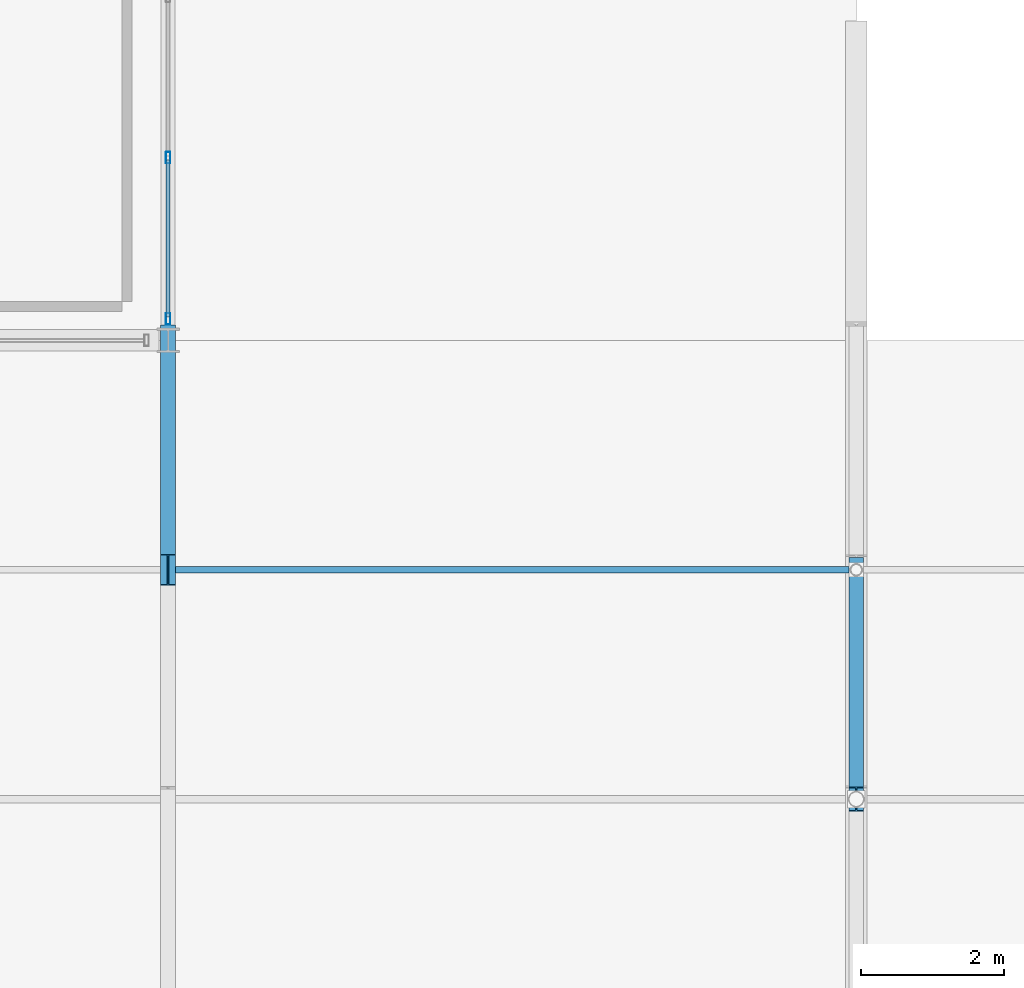
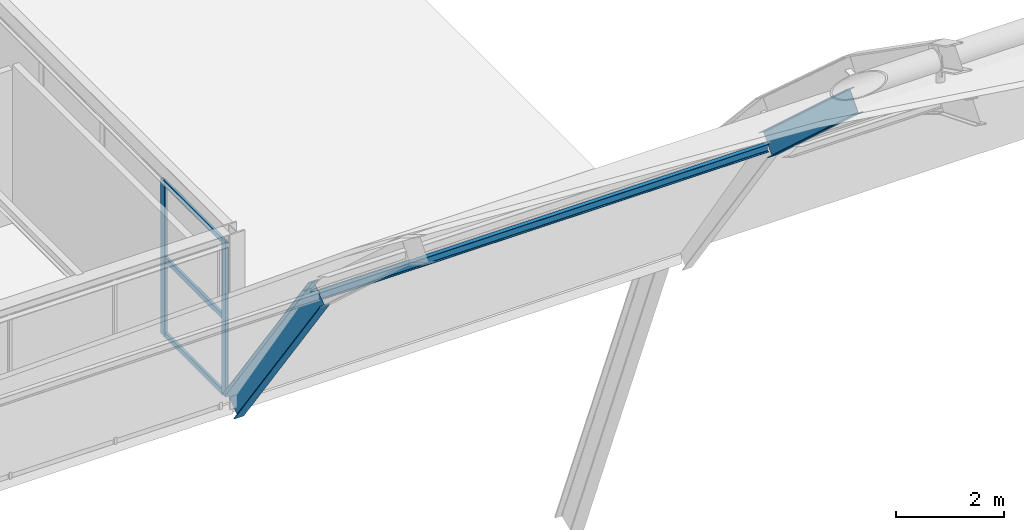
# One storey, part 87 of 126: 6 members, 2 beams, 1 element without a shape of its own.
"""IFC4 building model written with IfcOpenShell, lengths in metres."""

from ifc_helpers import new_model, si_unit, direction, frame, origin, origin_2d, place, context, subcontext, project, spatial, hollow_rectangle, i_section, extrude, material, material_profile, profile_set, type_object, element, aggregate, save


model = new_model("IFC4")

# Units and contexts
model_context = context("Model", 3, precision=1e-05, world=origin(), true_north=direction((0.0, 1.0)))
body_context = subcontext(model_context, "Body", "Model", "MODEL_VIEW")
ifc_project = project(units=[si_unit("LENGTHUNIT", "METRE"), si_unit("AREAUNIT", "SQUARE_METRE"), si_unit("VOLUMEUNIT", "CUBIC_METRE"), si_unit("PLANEANGLEUNIT", "RADIAN"), si_unit("MASSUNIT", "GRAM", prefix="KILO")], contexts=[model_context])

# Site, building, storey
site_placement = place(None, origin())
site = spatial("IfcSite", under=ifc_project, at=site_placement, CompositionType="ELEMENT")
building_placement = place(site_placement, origin())
building = spatial("IfcBuilding", under=site, at=building_placement, Name="Coralgate Yard Interchange", CompositionType="ELEMENT")
storey_placement = place(building_placement, frame((0.0, 0.0, 10.5)))
storey = spatial("IfcBuildingStorey", under=building, at=storey_placement, Name="L02", CompositionType="ELEMENT", Elevation=10.5)

# Beams
ifc_material_1 = material(Name="Weather-coated structural steel S355J2", Category="steel")
ifc_material_profile_1 = material_profile(ifc_material_1, i_section(OverallWidth=0.209228515625, OverallDepth=0.533203125, WebThickness=0.010009765625, FlangeThickness=0.015625, FilletRadius=0.0126953125, at=origin_2d()), Name="UB 533x210x92")
ifc_profile_set_1 = profile_set([ifc_material_profile_1], Name="Weather-coated structural steel S355J2")
beam_type_1 = type_object("IfcBeamType", Name="BM-VR-1", PredefinedType="BEAM", material=ifc_profile_set_1)
beam_1_placement = place(storey_placement, frame((96.0, 73.60009765625, 4.419677734375), z_axis=(0.0, 0.581821714705, -0.813316354377), x_axis=(-1.0, 0.0, 0.0)))
element("IfcBeam", 1, at=beam_1_placement, inside=storey, type_object=beam_type_1, Name="Barrel-vault gridshell rib 7 seg 12", PredefinedType="BEAM", context=body_context, shape_type="SweptSolid", body=[
    extrude(i_section(OverallWidth=0.209228515625, OverallDepth=0.533203125, WebThickness=0.010009765625, FlangeThickness=0.015625, FilletRadius=0.0126953125, at=origin_2d()), origin(), (0.0, 0.0, 1.0), 5.5),
])
ifc_material_profile_2 = material_profile(ifc_material_1, i_section(OverallWidth=0.199951171875, OverallDepth=0.5, WebThickness=0.01025390625, FlangeThickness=0.01611328125, FilletRadius=0.02099609375, at=origin_2d()), Name="IPE 500")
ifc_profile_set_2 = profile_set([ifc_material_profile_2], Name="Weather-coated structural steel S355J2")
beam_type_2 = type_object("IfcBeamType", Name="BM-VR-2", PredefinedType="BEAM", material=ifc_profile_set_2)
beam_2_placement = place(storey_placement, frame((105.60009765625, 70.39990234375, 7.349365234375), z_axis=(0.0, 0.739500841068, -0.673155632867), x_axis=(-1.0, 0.0, 0.0)))
element("IfcBeam", 2, at=beam_2_placement, inside=storey, type_object=beam_type_2, Name="Barrel-vault gridshell rib 8 seg 11", PredefinedType="BEAM", context=body_context, shape_type="SweptSolid", body=[
    extrude(i_section(OverallWidth=0.199951171875, OverallDepth=0.5, WebThickness=0.01025390625, FlangeThickness=0.01611328125, FilletRadius=0.02099609375, at=origin_2d()), origin(), (0.0, 0.0, 1.0), 4.327392578125),
])

# Curtain wall, members
ifc_material_2 = material(Name="Anodised coastal aluminium and solar-control low-E glass", Category="aluminium")
curtain_wall_type = type_object("IfcCurtainWallType", Name="CW-CW-L02-A", PredefinedType="NOTDEFINED", material=ifc_material_2)
curtain_wall_placement = place(storey_placement, origin())
curtain_wall = element("IfcCurtainWall", 3, at=curtain_wall_placement, inside=storey, type_object=curtain_wall_type, Name="L02 unitised curtain wall CW-L02-E-09-08", PredefinedType="NOTDEFINED")
ifc_material_3 = material(Name="Anodised coastal aluminium 6063-T6", Category="aluminium")
ifc_material_profile_3 = material_profile(ifc_material_3, hollow_rectangle(XDim=0.06494140625, YDim=0.159912109375, WallThickness=0.00390625, InnerFilletRadius=0.00390625, OuterFilletRadius=0.008056640625, at=origin_2d()), Name="ALU 65x160x4")
ifc_profile_set_3 = profile_set([ifc_material_profile_3], Name="Anodised coastal aluminium 6063-T6")
member_type_1 = type_object("IfcMemberType", Name="MB-MUL-160", PredefinedType="MULLION", material=ifc_profile_set_3)
member_1_placement = place(storey_placement, frame((96.0, 79.35009765625, 0.0), z_axis=(0.0, 0.0, 1.0), x_axis=(1.0, 0.0, 0.0)))
member_1 = element("IfcMember", 4, at=member_1_placement, type_object=member_type_1, Name="CW-L02-E-09-08 vertical mullion 4", PredefinedType="MULLION", context=body_context, shape_type="SweptSolid", body=[
    extrude(hollow_rectangle(XDim=0.06494140625, YDim=0.159912109375, WallThickness=0.00390625, InnerFilletRadius=0.00390625, OuterFilletRadius=0.008056640625, at=origin_2d()), origin(), (0.0, 0.0, 1.0), 3.492919921875),
])
member_2_placement = place(storey_placement, frame((96.0, 77.10009765625, 0.0), z_axis=(0.0, 0.0, 1.0), x_axis=(1.0, 0.0, 0.0)))
member_2 = element("IfcMember", 5, at=member_2_placement, type_object=member_type_1, Name="CW-L02-E-09-08 vertical mullion 5", PredefinedType="MULLION", context=body_context, shape_type="SweptSolid", body=[
    extrude(hollow_rectangle(XDim=0.06494140625, YDim=0.159912109375, WallThickness=0.00390625, InnerFilletRadius=0.00390625, OuterFilletRadius=0.008056640625, at=origin_2d()), origin(), (0.0, 0.0, 1.0), 3.492919921875),
])

# Member
ifc_material_4 = material(Name="Off-white architectural structural steel S355J2", Category="steel")
ifc_material_profile_4 = material_profile(ifc_material_4, i_section(OverallWidth=0.091064453125, OverallDepth=0.179931640625, WebThickness=0.00537109375, FlangeThickness=0.008056640625, FilletRadius=0.009033203125, at=origin_2d()), Name="IPE 180")
ifc_profile_set_4 = profile_set([ifc_material_profile_4], Name="Off-white architectural structural steel S355J2")
member_type_2 = type_object("IfcMemberType", Name="MB-PR-2", PredefinedType="PURLIN", material=ifc_profile_set_4)
member_3_placement = place(storey_placement, frame((96.001953125, 73.60009765625, 4.3662109375), z_axis=(1.0, 0.0, 0.0), x_axis=(0.0, 1.0, 0.0)))
element("IfcMember", 6, at=member_3_placement, inside=storey, type_object=member_type_2, Name="Barrel-vault gridshell purlin 7-12", PredefinedType="PURLIN", context=body_context, shape_type="SweptSolid", body=[
    extrude(i_section(OverallWidth=0.091064453125, OverallDepth=0.179931640625, WebThickness=0.00537109375, FlangeThickness=0.008056640625, FilletRadius=0.009033203125, at=origin_2d()), origin(), (0.0, 0.0, 1.0), 9.595947265625),
])

ifc_material_profile_5 = material_profile(ifc_material_3, hollow_rectangle(XDim=0.06005859375, YDim=0.1201171875, WallThickness=0.00341796875, InnerFilletRadius=0.00341796875, OuterFilletRadius=0.007080078125, at=origin_2d()), Name="ALU 60x120x3.5")
ifc_profile_set_5 = profile_set([ifc_material_profile_5], Name="Anodised coastal aluminium 6063-T6")
member_type_3 = type_object("IfcMemberType", Name="MB-TRN-120", PredefinedType="USERDEFINED", material=ifc_profile_set_5)
member_4_placement = place(storey_placement, frame((96.0, 79.320068359375, 0.034912109375), z_axis=(0.0, -1.0, 0.0), x_axis=(1.0, 0.0, 0.0)))
member_4 = element("IfcMember", 7, at=member_4_placement, type_object=member_type_3, Name="CW-L02-E-09-08 horizontal transom 4-1", ObjectType="TRANSOM", PredefinedType="USERDEFINED", context=body_context, shape_type="SweptSolid", body=[
    extrude(hollow_rectangle(XDim=0.06005859375, YDim=0.1201171875, WallThickness=0.00341796875, InnerFilletRadius=0.00341796875, OuterFilletRadius=0.007080078125, at=origin_2d()), origin(), (0.0, 0.0, 1.0), 2.190185546875),
])

member_5_placement = place(storey_placement, frame((96.0, 79.320068359375, 1.74658203125), z_axis=(0.0, -1.0, 0.0), x_axis=(1.0, 0.0, 0.0)))
member_5 = element("IfcMember", 8, at=member_5_placement, type_object=member_type_3, Name="CW-L02-E-09-08 horizontal transom 4-2", ObjectType="TRANSOM", PredefinedType="USERDEFINED", context=body_context, shape_type="SweptSolid", body=[
    extrude(hollow_rectangle(XDim=0.06005859375, YDim=0.1201171875, WallThickness=0.00341796875, InnerFilletRadius=0.00341796875, OuterFilletRadius=0.007080078125, at=origin_2d()), origin(), (0.0, 0.0, 1.0), 2.190185546875),
])

member_6_placement = place(storey_placement, frame((96.0, 79.320068359375, 3.4580078125), z_axis=(0.0, -1.0, 0.0), x_axis=(1.0, 0.0, 0.0)))
member_6 = element("IfcMember", 9, at=member_6_placement, type_object=member_type_3, Name="CW-L02-E-09-08 horizontal transom 4-3", ObjectType="TRANSOM", PredefinedType="USERDEFINED", context=body_context, shape_type="SweptSolid", body=[
    extrude(hollow_rectangle(XDim=0.06005859375, YDim=0.1201171875, WallThickness=0.00341796875, InnerFilletRadius=0.00341796875, OuterFilletRadius=0.007080078125, at=origin_2d()), origin(), (0.0, 0.0, 1.0), 2.190185546875),
])

aggregate(curtain_wall, [member_1, member_2, member_4, member_5, member_6])

save(model, "model.ifc")
